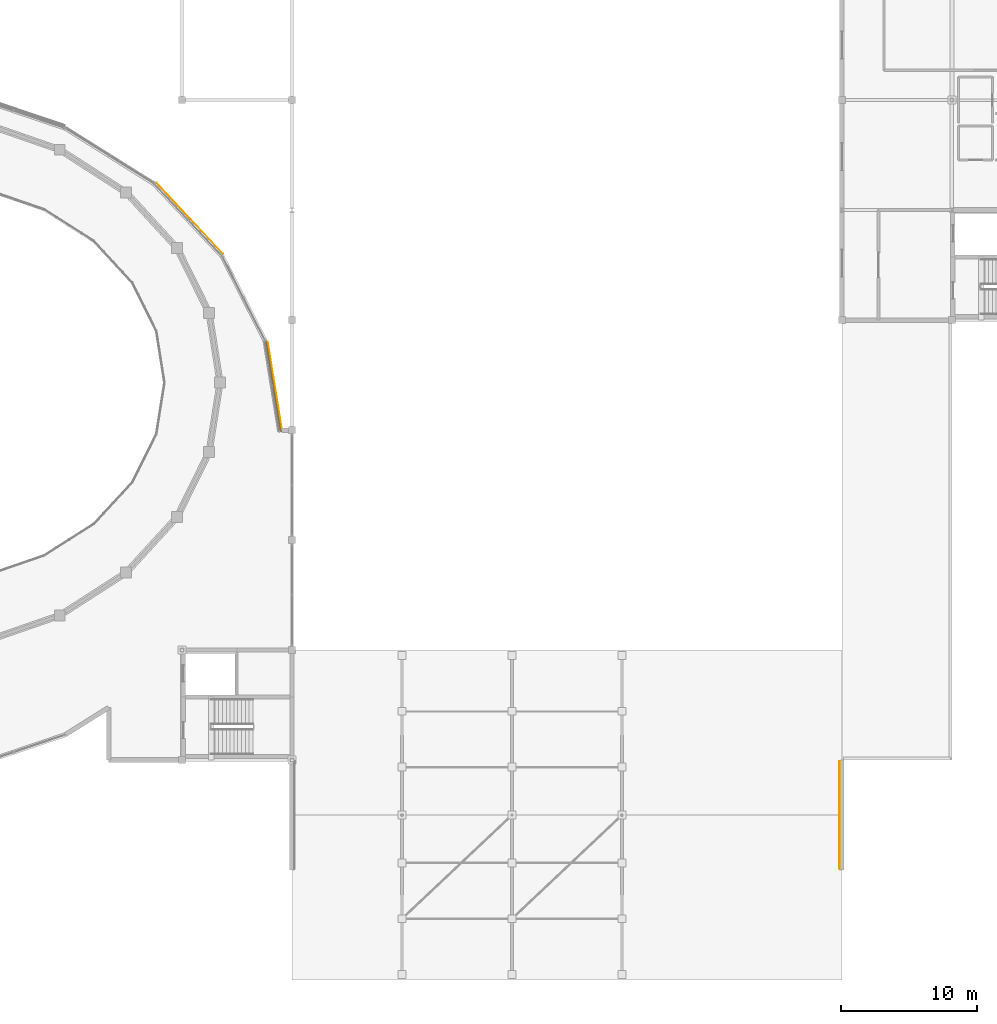
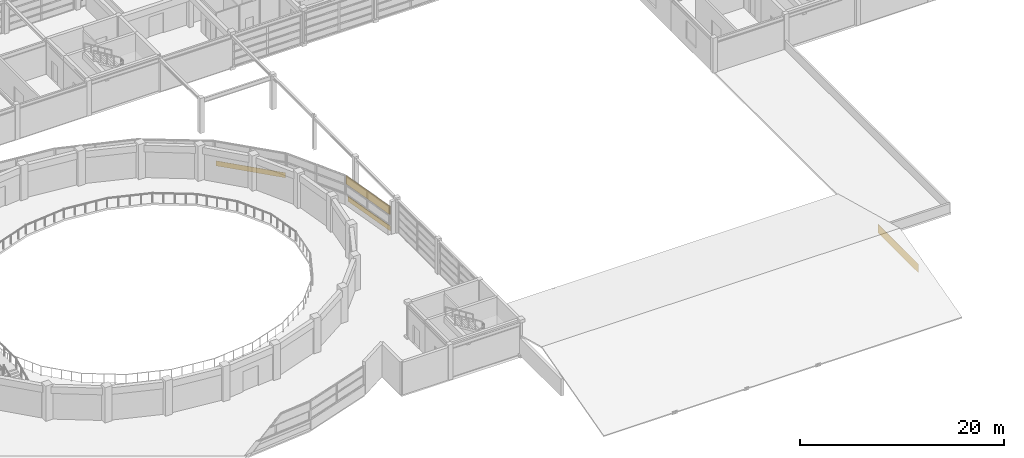
# One storey, part 50 of 54: 3 coverings, 1 shading device.
"""IFC4 building model written with IfcOpenShell, lengths in metres."""

from ifc_helpers import new_model, si_unit, direction, frame, origin, origin_2d, place, context, subcontext, project, spatial, rectangle, extrude, material, layer, layer_set, type_object, element, save


model = new_model("IFC4")

# Units and contexts
model_context = context("Model", 3, precision=1e-05, world=origin(), true_north=direction((0.0, 1.0)))
body_context = subcontext(model_context, "Body", "Model", "MODEL_VIEW")
ifc_project = project(units=[si_unit("LENGTHUNIT", "METRE"), si_unit("AREAUNIT", "SQUARE_METRE"), si_unit("VOLUMEUNIT", "CUBIC_METRE"), si_unit("PLANEANGLEUNIT", "RADIAN"), si_unit("MASSUNIT", "GRAM", prefix="KILO")], contexts=[model_context])

# Site, building, storey
site_placement = place(None, origin())
site = spatial("IfcSite", under=ifc_project, at=site_placement, CompositionType="ELEMENT")
building_placement = place(site_placement, origin())
building = spatial("IfcBuilding", under=site, at=building_placement, Name="Parian Resonance Hall", CompositionType="ELEMENT")
storey_placement = place(building_placement, frame((0.0, 0.0, 15.0)))
storey = spatial("IfcBuildingStorey", under=building, at=storey_placement, Name="L03", CompositionType="ELEMENT", Elevation=15.0)

# Coverings
ifc_material_1 = material(Name="Polychrome trencadis ceramic mosaic cladding")
ifc_layer_1 = layer(ifc_material_1, 0.030029296875)
ifc_layer_set_1 = layer_set([ifc_layer_1], Name="Polychrome trencadis ceramic mosaic cladding")
covering_type = type_object("IfcCoveringType", Name="COV-MOSAIC-CLAD", PredefinedType="CLADDING", material=ifc_layer_set_1)
covering_1_placement = place(storey_placement, frame((71.63330078125, 43.766357421875, 0.300048828125), z_axis=(0.0, 0.0, 1.0), x_axis=(0.159186828447, -0.987248476144, 0.0)))
element("IfcCovering", 1, at=covering_1_placement, inside=storey, type_object=covering_type, Name="Polychrome ceramic mosaic frieze L03-061", PredefinedType="CLADDING", context=body_context, shape_type="SweptSolid", body=[
    extrude(rectangle(XDim=6.563720703125, YDim=0.030029296875, at=origin_2d()), origin(), (0.0, 0.0, 1.0), 0.60009765625),
])
covering_2_placement = place(storey_placement, frame((65.38232421875, 56.0908203125, 0.300048828125), z_axis=(0.0, 0.0, 1.0), x_axis=(0.684838405716, -0.728694969144, 0.0)))
element("IfcCovering", 2, at=covering_2_placement, inside=storey, type_object=covering_type, Name="Polychrome ceramic mosaic frieze L03-062", PredefinedType="CLADDING", context=body_context, shape_type="SweptSolid", body=[
    extrude(rectangle(XDim=7.1328125, YDim=0.030029296875, at=origin_2d()), origin(), (0.0, 0.0, 1.0), 0.60009765625),
])
covering_3_placement = place(storey_placement, frame((113.216064453125, 12.14990234375, 0.512451171875), z_axis=(0.0, 0.0, 1.0), x_axis=(0.0, 1.0, 0.0)))
element("IfcCovering", 3, at=covering_3_placement, inside=storey, type_object=covering_type, Name="Polychrome ceramic mosaic frieze L03-072", PredefinedType="CLADDING", context=body_context, shape_type="SweptSolid", body=[
    extrude(rectangle(XDim=7.89990234375, YDim=0.030029296875, at=origin_2d()), origin(), (0.0, 0.0, 1.0), 1.02490234375),
])

# Shading device
ifc_material_2 = material(Name="Patinated bronze persiana louver")
ifc_layer_2 = layer(ifc_material_2, 0.080078125)
ifc_layer_set_2 = layer_set([ifc_layer_2], Name="Patinated bronze persiana louver")
shading_device_type = type_object("IfcShadingDeviceType", Name="SHD-PERSIANA-JAL", PredefinedType="JALOUSIE", material=ifc_layer_set_2)
shading_device_placement = place(storey_placement, frame((71.5283203125, 43.74951171875, 2.35986328125), z_axis=(0.0, 0.0, 1.0), x_axis=(0.159186828447, -0.987248476144, 0.0)))
element("IfcShadingDevice", 4, at=shading_device_placement, inside=storey, type_object=shading_device_type, Name="Bronze persiana storm jalousie L03-001", PredefinedType="JALOUSIE", context=body_context, shape_type="SweptSolid", body=[
    extrude(rectangle(XDim=6.763671875, YDim=0.080078125, at=origin_2d()), origin(), (0.0, 0.0, 1.0), 0.989990234375),
])

save(model, "model.ifc")
